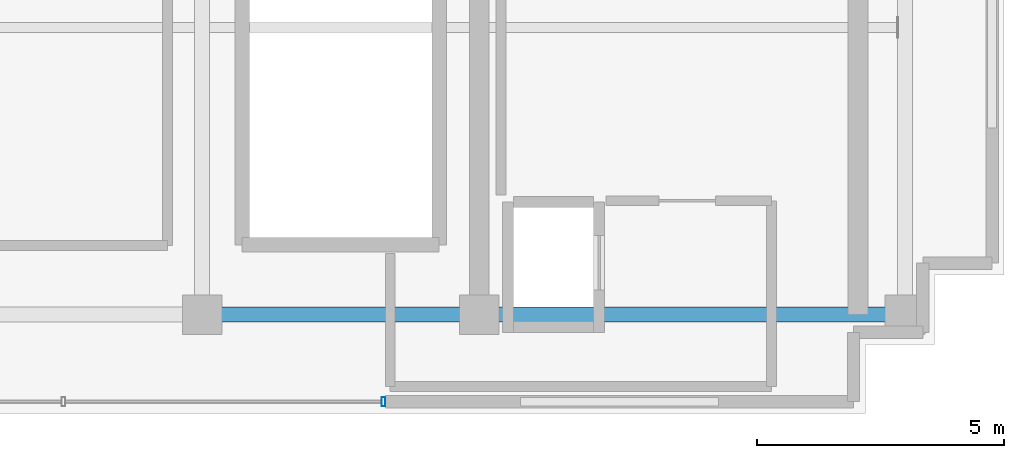
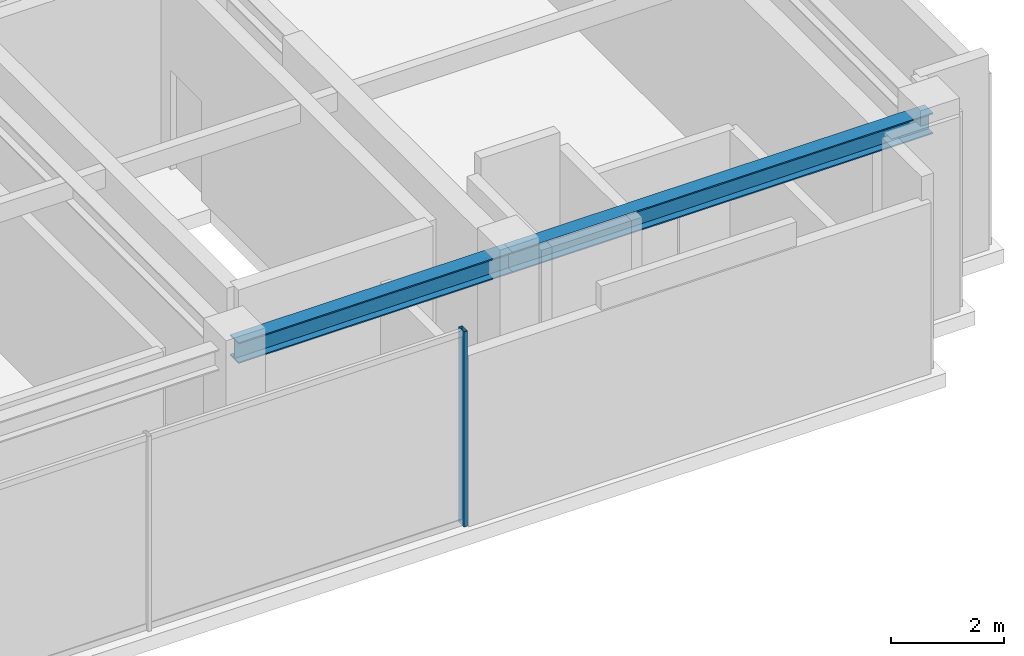
# One storey, part 6 of 21: 2 beams, 1 member, 1 element without a shape of its own.
"""IFC4 building model written with IfcOpenShell, lengths in metres."""

import ifcopenshell
import ifcopenshell.guid

model = None  # the IFC model being written
_history = None  # IfcOwnerHistory: only IFC2X3 demands one
_inside = {}  # id of a spatial element -> (the spatial element, [elements in it])
_under = {}  # id of a project, library or spatial element -> (it, [spatial elements below it])
_declared = {}  # id of a project -> (the project, [libraries it declares])
_typed = {}  # id of a type object -> (the type object, [elements of that type])
_made_of = {}  # id of a material, layer set ... -> (it, [elements and type objects made of it])


def new_model(schema):
    """Start an empty IFC model of exactly this schema.

    Asked for "IFC4X3", IfcOpenShell would pick the latest addendum, in which some entities
    have other attributes; the version numbers below select the first issue.
    IFC2X3 requires an IfcOwnerHistory on every rooted entity: one is made here for all.
    """
    global model, _history
    if schema == "IFC4X3":
        model = ifcopenshell.file(schema_version=(4, 3, 0, 0))
    else:
        model = ifcopenshell.file(schema=schema)
    _inside.clear()
    _under.clear()
    _declared.clear()
    _typed.clear()
    _made_of.clear()
    _history = None
    if model.schema == "IFC2X3":
        org = make("IfcOrganization", Name="unknown")
        user = make(
            "IfcPersonAndOrganization",
            ThePerson=make("IfcPerson", FamilyName="unknown"),
            TheOrganization=org,
        )
        app = make(
            "IfcApplication",
            ApplicationDeveloper=org,
            Version="unknown",
            ApplicationFullName="unknown",
            ApplicationIdentifier="unknown",
        )
        _history = make(
            "IfcOwnerHistory",
            OwningUser=user,
            OwningApplication=app,
            ChangeAction="ADDED",
            CreationDate=0,
        )
    return model


def make(cls, **values):
    """One entity of the class cls with the attributes given. An attribute that is None is left unset."""
    return model.create_entity(
        cls, **{name: value for name, value in values.items() if value is not None}
    )


def rooted(cls, **values):
    """An entity with a GlobalId (a new one), such as an element, a storey or a relation."""
    return make(cls, GlobalId=ifcopenshell.guid.new(), OwnerHistory=_history, **values)


def si_unit(unit_type, name, prefix=None):
    """IfcSIUnit, for example si_unit("LENGTHUNIT", "METRE", prefix="MILLI")."""
    return make("IfcSIUnit", UnitType=unit_type, Prefix=prefix, Name=name)


def assignment(units):
    """IfcUnitAssignment: the units of a project."""
    return None if units is None else make("IfcUnitAssignment", Units=units)


def point(xyz):
    """IfcCartesianPoint."""
    return None if xyz is None else make("IfcCartesianPoint", Coordinates=xyz)


def direction(xyz):
    """IfcDirection."""
    return None if xyz is None else make("IfcDirection", DirectionRatios=xyz)


def frame(location, z_axis=None, x_axis=None):
    """IfcAxis2Placement3D, a coordinate frame: its origin and axes. An axis left out is left unset."""
    return make(
        "IfcAxis2Placement3D",
        Location=point(location),
        Axis=direction(z_axis),
        RefDirection=direction(x_axis),
    )


def frame_2d(location, x_axis=None):
    """IfcAxis2Placement2D, a coordinate frame in the plane: its origin and x axis."""
    return make(
        "IfcAxis2Placement2D", Location=point(location), RefDirection=direction(x_axis)
    )


def origin():
    """The frame at (0, 0, 0) with its axes left unset."""
    return frame((0.0, 0.0, 0.0))


def origin_2d():
    """The frame at (0, 0) in the plane with its x axis left unset."""
    return frame_2d((0.0, 0.0))


def place(relative_to, where):
    """IfcLocalPlacement: puts the frame where relative to a parent placement (None: the world)."""
    return make(
        "IfcLocalPlacement", PlacementRelTo=relative_to, RelativePlacement=where
    )


def context(
    kind, dimensions, precision=None, world=None, true_north=None, identifier=None
):
    """IfcGeometricRepresentationContext, for example the 3D "Model" context."""
    return make(
        "IfcGeometricRepresentationContext",
        ContextIdentifier=identifier,
        ContextType=kind,
        CoordinateSpaceDimension=dimensions,
        Precision=precision,
        WorldCoordinateSystem=world,
        TrueNorth=true_north,
    )


def subcontext(parent, identifier, kind, view, scale=None):
    """IfcGeometricRepresentationSubContext, for example "Body" below "Model"."""
    return make(
        "IfcGeometricRepresentationSubContext",
        ContextIdentifier=identifier,
        ContextType=kind,
        ParentContext=parent,
        TargetScale=scale,
        TargetView=view,
    )


def project(units=None, contexts=None):
    """IfcProject with its units and contexts."""
    return rooted(
        "IfcProject",
        Name="project",
        RepresentationContexts=contexts,
        UnitsInContext=assignment(units),
    )


def spatial(cls, under=None, at=None, **own):
    """A site, building, storey or space (cls), placed at a placement, below another one or the project."""
    s = rooted(cls, ObjectPlacement=at, **own)
    if under is not None:
        _under.setdefault(under.id(), (under, []))[1].append(s)
    return s


def profile(cls, at=None, kind="AREA", **sizes):
    """A parametric profile (cls). Its sizes go by their IFC names, for example OverallWidth=200.0."""
    return make(cls, ProfileType=kind, Position=at, **sizes)


def hollow_rectangle(**sizes):
    """IfcRectangleHollowProfileDef."""
    return profile("IfcRectangleHollowProfileDef", **sizes)


def i_section(**sizes):
    """IfcIShapeProfileDef."""
    return profile("IfcIShapeProfileDef", **sizes)


def extrude(swept, where, along, depth):
    """IfcExtrudedAreaSolid: the profile swept, set in the frame where, extruded along a direction by depth."""
    return make(
        "IfcExtrudedAreaSolid",
        SweptArea=swept,
        Position=where,
        ExtrudedDirection=direction(along),
        Depth=depth,
    )


def shape(context_of_items, identifier, shape_type, items):
    """IfcShapeRepresentation: the items that make up one representation, for example the "Body"."""
    return make(
        "IfcShapeRepresentation",
        ContextOfItems=context_of_items,
        RepresentationIdentifier=identifier,
        RepresentationType=shape_type,
        Items=items,
    )


def source(mapping_origin, context_of_items, identifier, shape_type, items):
    """IfcRepresentationMap: a shape defined once, which mapped items show again and again."""
    return make(
        "IfcRepresentationMap",
        MappingOrigin=mapping_origin,
        MappedRepresentation=shape(context_of_items, identifier, shape_type, items),
    )


def transform(
    local_origin,
    x_axis=None,
    y_axis=None,
    z_axis=None,
    scale=None,
    scale2=None,
    scale3=None,
    uniform=True,
):
    """IfcCartesianTransformationOperator3D, or its non-uniform kind. x_axis, y_axis, z_axis: its Axis1, 2, 3."""
    if uniform:
        return make(
            "IfcCartesianTransformationOperator3D",
            Axis1=direction(x_axis),
            Axis2=direction(y_axis),
            LocalOrigin=point(local_origin),
            Scale=scale,
            Axis3=direction(z_axis),
        )
    return make(
        "IfcCartesianTransformationOperator3DnonUniform",
        Axis1=direction(x_axis),
        Axis2=direction(y_axis),
        LocalOrigin=point(local_origin),
        Scale=scale,
        Axis3=direction(z_axis),
        Scale2=scale2,
        Scale3=scale3,
    )


def mapped(mapping_source, mapping_target):
    """IfcMappedItem: shows the shape of a source again, moved by a transform."""
    return make(
        "IfcMappedItem", MappingSource=mapping_source, MappingTarget=mapping_target
    )


def material(Name=None, Category=None):
    """IfcMaterial."""
    return make("IfcMaterial", Name=Name, Category=Category)


def material_profile(
    of_material, cross_section, Name=None, Category=None, Priority=None
):
    """IfcMaterialProfile: a cross section and its material."""
    return make(
        "IfcMaterialProfile",
        Name=Name,
        Material=of_material,
        Profile=cross_section,
        Priority=Priority,
        Category=Category,
    )


def profile_set(profiles, Name=None, composite=None):
    """IfcMaterialProfileSet."""
    return make(
        "IfcMaterialProfileSet",
        Name=Name,
        MaterialProfiles=profiles,
        CompositeProfile=composite,
    )


def made_of(thing, what):
    """Note that an element or type object is made of a material, layer set ...; save() writes the relation."""
    if what is not None:
        _made_of.setdefault(what.id(), (what, []))[1].append(thing)
    return thing


def type_object(cls, material=None, **own):
    """A type object (cls), such as IfcWallType, which elements share."""
    return made_of(rooted(cls, **own), material)


def element(
    cls,
    number,
    at=None,
    inside=None,
    cuts=None,
    type_object=None,
    material=None,
    context=None,
    identifier="Body",
    shape_type=None,
    held_by="IfcProductDefinitionShape",
    body=None,
    shapes=None,
    **own,
):
    """One element of the class cls, such as IfcWall. Its Tag is "e" and its number.

    at: its placement. inside: the storey or other place that contains it. cuts: it is an
    opening in that element (IfcRelVoidsElement). A single representation is given by context,
    identifier, shape_type and body (its items); several are given by shapes. held_by: the class
    of the entity that holds the representations. save() writes the other relations.
    """
    e = rooted(cls, Tag="e%d" % number, ObjectPlacement=at, **own)
    if body is not None:
        shapes = [shape(context, identifier, shape_type, body)]
    if shapes is not None:
        e.Representation = make(held_by, Representations=shapes)
    if inside is not None:
        _inside.setdefault(inside.id(), (inside, []))[1].append(e)
    if cuts is not None:
        rooted(
            "IfcRelVoidsElement", RelatingBuildingElement=cuts, RelatedOpeningElement=e
        )
    if type_object is not None:
        _typed.setdefault(type_object.id(), (type_object, []))[1].append(e)
    return made_of(e, material)


def aggregate(whole, parts):
    """IfcRelAggregates: a whole, such as a stair, and the parts it consists of."""
    return rooted("IfcRelAggregates", RelatingObject=whole, RelatedObjects=parts)


def save(model, path):
    """Write the relations noted so far, then the file.

    IfcRelAggregates (storeys below a building ...), IfcRelContainedInSpatialStructure (elements
    in a storey), IfcRelDefinesByType, IfcRelAssociatesMaterial and IfcRelDeclares: one each for
    every whole, place, type object, material and project.
    """
    for whole, parts in _under.values():
        aggregate(whole, parts)
    for where, things in _inside.values():
        rooted(
            "IfcRelContainedInSpatialStructure",
            RelatedElements=things,
            RelatingStructure=where,
        )
    for kind, things in _typed.values():
        rooted("IfcRelDefinesByType", RelatedObjects=things, RelatingType=kind)
    for what, things in _made_of.values():
        rooted("IfcRelAssociatesMaterial", RelatedObjects=things, RelatingMaterial=what)
    for by, libraries in _declared.values():
        rooted("IfcRelDeclares", RelatingContext=by, RelatedDefinitions=libraries)
    model.write(path)


model = new_model("IFC4")

# Units and contexts
model_context = context("Model", 3, precision=1e-05, world=origin(), true_north=direction((0.0, 1.0)))
body_context = subcontext(model_context, "Body", "Model", "MODEL_VIEW")
ifc_project = project(units=[si_unit("LENGTHUNIT", "METRE"), si_unit("AREAUNIT", "SQUARE_METRE"), si_unit("VOLUMEUNIT", "CUBIC_METRE"), si_unit("PLANEANGLEUNIT", "RADIAN"), si_unit("MASSUNIT", "GRAM", prefix="KILO")], contexts=[model_context])

# Site, building, storey
site_placement = place(None, origin())
site = spatial("IfcSite", under=ifc_project, at=site_placement, CompositionType="ELEMENT")
building_placement = place(site_placement, origin())
building = spatial("IfcBuilding", under=site, at=building_placement, Name="Nahalor Promenade Grand Hotel", CompositionType="ELEMENT")
storey_placement = place(building_placement, frame((0.0, 0.0, 370.85009765625)))
storey = spatial("IfcBuildingStorey", under=building, at=storey_placement, Name="L94", CompositionType="ELEMENT", Elevation=370.85009765625)

# Beams
ifc_material_1 = material(Name="Steel S355JR", Category="steel")
ifc_material_profile_1 = material_profile(ifc_material_1, i_section(OverallWidth=0.3, OverallDepth=0.45, WebThickness=0.014, FlangeThickness=0.026, at=origin_2d()), Name="HEB 450")
ifc_profile_set_1 = profile_set([ifc_material_profile_1], Name="Steel S355JR")
beam_type = type_object("IfcBeamType", Name="Beam-Girder-HEB450", PredefinedType="BEAM", material=ifc_profile_set_1)
shared_shape_1 = source(origin(), body_context, "Body", "SweptSolid", [
    extrude(i_section(OverallWidth=0.3, OverallDepth=0.45, WebThickness=0.014, FlangeThickness=0.026, at=origin_2d()), origin(), (0.0, 0.0, 1.0), 8.60009765625),
])
beam_1_placement = place(storey_placement, frame((8.39990234375, -17.0, 3.994873046875), z_axis=(1.0, 0.0, 0.0), x_axis=(0.0, 1.0, 0.0)))
element("IfcBeam", 1, at=beam_1_placement, inside=storey, type_object=beam_type, Name="BM-L94-GX-0-4", PredefinedType="BEAM", context=body_context, shape_type="MappedRepresentation", body=[
    mapped(shared_shape_1, transform((0.0, 0.0, 0.0), scale=1.0)),
])
shared_shape_2 = source(origin(), body_context, "Body", "SweptSolid", [
    extrude(i_section(OverallWidth=0.3, OverallDepth=0.45, WebThickness=0.014, FlangeThickness=0.026, at=origin_2d()), origin(), (0.0, 0.0, 1.0), 5.599853515625),
])
beam_2_placement = place(storey_placement, frame((2.800048828125, -17.0, 3.994873046875), z_axis=(1.0, 0.0, 0.0), x_axis=(0.0, 1.0, 0.0)))
element("IfcBeam", 2, at=beam_2_placement, inside=storey, type_object=beam_type, Name="BM-L94-GX-0-3", PredefinedType="BEAM", context=body_context, shape_type="MappedRepresentation", body=[
    mapped(shared_shape_2, transform((0.0, 0.0, 0.0), scale=1.0)),
])

# Curtain wall, member
ifc_material_2 = material(Name="Anodised Bronze Aluminium EN AW-6063 T6", Category="aluminium")
curtain_wall_type = type_object("IfcCurtainWallType", Name="CW6 Crown Botanical Conservatory Curtain Wall", PredefinedType="USERDEFINED", material=ifc_material_2)
curtain_wall_placement = place(storey_placement, origin())
curtain_wall = element("IfcCurtainWall", 3, at=curtain_wall_placement, inside=storey, type_object=curtain_wall_type, Name="L94 Curtain Wall CW-L94-S", ObjectType="UNITISED_CURTAIN_WALL", PredefinedType="USERDEFINED")
ifc_material_profile_2 = material_profile(ifc_material_2, hollow_rectangle(XDim=0.075, YDim=0.19, WallThickness=0.005, at=origin_2d()), Name="CWM 75x190x5")
ifc_profile_set_2 = profile_set([ifc_material_profile_2], Name="Anodised Bronze Aluminium EN AW-6063 T6")
member_type = type_object("IfcMemberType", Name="CWM6 Conservatory Bronze Mullion 75x190", PredefinedType="MULLION", material=ifc_profile_set_2)
shared_shape_3 = source(origin(), body_context, "Body", "SweptSolid", [
    extrude(hollow_rectangle(XDim=0.075, YDim=0.19, WallThickness=0.005, at=origin_2d()), origin(), (0.0, 0.0, 1.0), 4.219970703125),
])
member_placement = place(storey_placement, frame((6.46240234375, -18.760009765625, 0.0), z_axis=(0.0, 0.0, 1.0), x_axis=(1.0, 0.0, 0.0)))
member = element("IfcMember", 4, at=member_placement, type_object=member_type, Name="CW-L94-S Mullion 2", PredefinedType="MULLION", context=body_context, shape_type="MappedRepresentation", body=[
    mapped(shared_shape_3, transform((0.0, 0.0, 0.0), scale=1.0)),
])
aggregate(curtain_wall, [member])

save(model, "model.ifc")
